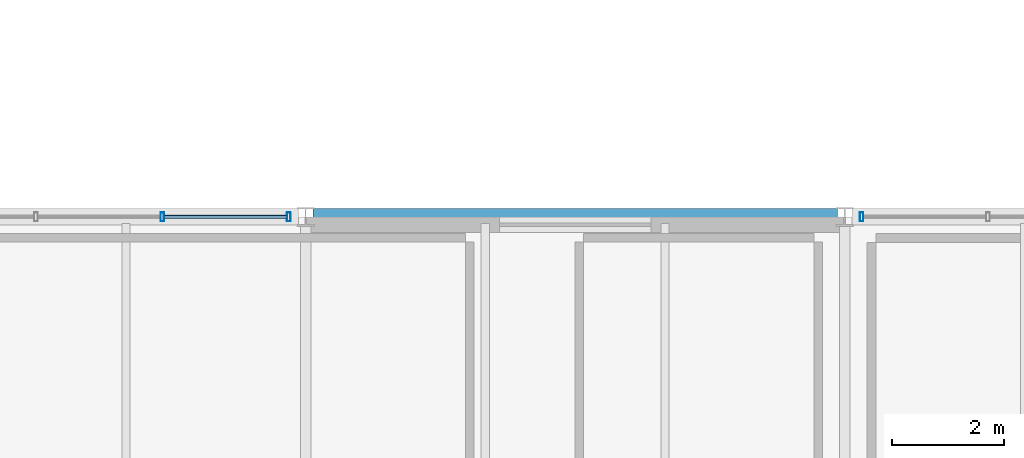
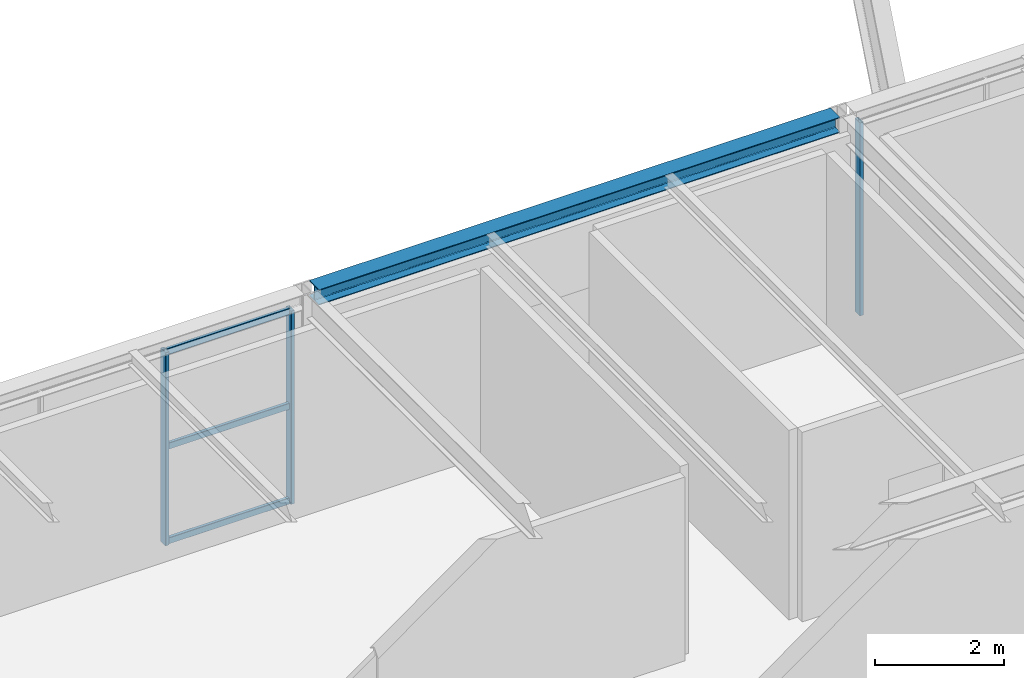
# One storey, part 50 of 126: 6 members, 1 beam, 2 elements without a shape of their own.
"""IFC4 building model written with IfcOpenShell, lengths in metres."""

from ifc_helpers import new_model, si_unit, direction, frame, origin, origin_2d, place, context, subcontext, project, spatial, hollow_rectangle, i_section, extrude, material, material_profile, profile_set, type_object, element, aggregate, save


model = new_model("IFC4")

# Units and contexts
model_context = context("Model", 3, precision=1e-05, world=origin(), true_north=direction((0.0, 1.0)))
body_context = subcontext(model_context, "Body", "Model", "MODEL_VIEW")
ifc_project = project(units=[si_unit("LENGTHUNIT", "METRE"), si_unit("AREAUNIT", "SQUARE_METRE"), si_unit("VOLUMEUNIT", "CUBIC_METRE"), si_unit("PLANEANGLEUNIT", "RADIAN"), si_unit("MASSUNIT", "GRAM", prefix="KILO")], contexts=[model_context])

# Site, building, storey
site_placement = place(None, origin())
site = spatial("IfcSite", under=ifc_project, at=site_placement, CompositionType="ELEMENT")
building_placement = place(site_placement, origin())
building = spatial("IfcBuilding", under=site, at=building_placement, Name="Coralgate Yard Interchange", CompositionType="ELEMENT")
storey_placement = place(building_placement, frame((0.0, 0.0, 10.5)))
storey = spatial("IfcBuildingStorey", under=building, at=storey_placement, Name="L02", CompositionType="ELEMENT", Elevation=10.5)

# Beam
ifc_material_1 = material(Name="Structural steel S355J2", Category="steel")
ifc_material_profile_1 = material_profile(ifc_material_1, i_section(OverallWidth=0.300048828125, OverallDepth=0.2900390625, WebThickness=0.008544921875, FlangeThickness=0.013916015625, FilletRadius=0.027099609375, at=origin_2d()), Name="HEA 300")
ifc_profile_set_1 = profile_set([ifc_material_profile_1], Name="Structural steel S355J2")
beam_type = type_object("IfcBeamType", Name="BM-SP-2", PredefinedType="SPANDREL", material=ifc_profile_set_1)
beam_placement = place(storey_placement, frame((67.327392578125, 19.199951171875, 3.804931640625), z_axis=(1.0, 0.0, 0.0), x_axis=(0.0, 1.0, 0.0)))
element("IfcBeam", 1, at=beam_placement, inside=storey, type_object=beam_type, Name="L02 primary grid beam Y2 X7-8", PredefinedType="SPANDREL", context=body_context, shape_type="SweptSolid", body=[
    extrude(i_section(OverallWidth=0.300048828125, OverallDepth=0.2900390625, WebThickness=0.008544921875, FlangeThickness=0.013916015625, FilletRadius=0.027099609375, at=origin_2d()), origin(), (0.0, 0.0, 1.0), 9.34521484375),
])

# Curtain wall, members
ifc_material_2 = material(Name="Anodised coastal aluminium and solar-control low-E glass", Category="aluminium")
curtain_wall_type = type_object("IfcCurtainWallType", Name="CW-CW-L02-A", PredefinedType="NOTDEFINED", material=ifc_material_2)
curtain_wall_1_placement = place(storey_placement, origin())
curtain_wall_1 = element("IfcCurtainWall", 2, at=curtain_wall_1_placement, inside=storey, type_object=curtain_wall_type, Name="L02 unitised curtain wall CW-L02-N-06-01", PredefinedType="NOTDEFINED")
ifc_material_3 = material(Name="Anodised coastal aluminium 6063-T6", Category="aluminium")
ifc_material_profile_2 = material_profile(ifc_material_3, hollow_rectangle(XDim=0.06494140625, YDim=0.159912109375, WallThickness=0.00390625, InnerFilletRadius=0.00390625, OuterFilletRadius=0.008056640625, at=origin_2d()), Name="ALU 65x160x4")
ifc_profile_set_2 = profile_set([ifc_material_profile_2], Name="Anodised coastal aluminium 6063-T6")
member_type_1 = type_object("IfcMemberType", Name="MB-MUL-160", PredefinedType="MULLION", material=ifc_profile_set_2)
member_1_placement = place(storey_placement, frame((64.64990234375, 19.199951171875, 0.0), z_axis=(0.0, 0.0, 1.0), x_axis=(1.0, 0.0, 0.0)))
member_1 = element("IfcMember", 3, at=member_1_placement, type_object=member_type_1, Name="CW-L02-N-06-01 vertical mullion 4", PredefinedType="MULLION", context=body_context, shape_type="SweptSolid", body=[
    extrude(hollow_rectangle(XDim=0.06494140625, YDim=0.159912109375, WallThickness=0.00390625, InnerFilletRadius=0.00390625, OuterFilletRadius=0.008056640625, at=origin_2d()), origin(), (0.0, 0.0, 1.0), 3.659912109375),
])
member_2_placement = place(storey_placement, frame((66.89990234375, 19.199951171875, 0.0), z_axis=(0.0, 0.0, 1.0), x_axis=(1.0, 0.0, 0.0)))
member_2 = element("IfcMember", 4, at=member_2_placement, type_object=member_type_1, Name="CW-L02-N-06-01 vertical mullion 5", PredefinedType="MULLION", context=body_context, shape_type="SweptSolid", body=[
    extrude(hollow_rectangle(XDim=0.06494140625, YDim=0.159912109375, WallThickness=0.00390625, InnerFilletRadius=0.00390625, OuterFilletRadius=0.008056640625, at=origin_2d()), origin(), (0.0, 0.0, 1.0), 3.659912109375),
])

# Curtain wall, member
curtain_wall_2_placement = place(storey_placement, origin())
curtain_wall_2 = element("IfcCurtainWall", 5, at=curtain_wall_2_placement, inside=storey, type_object=curtain_wall_type, Name="L02 unitised curtain wall CW-L02-N-08-01", PredefinedType="NOTDEFINED")
member_3_placement = place(storey_placement, frame((77.10009765625, 19.199951171875, 0.0), z_axis=(0.0, 0.0, 1.0), x_axis=(1.0, 0.0, 0.0)))
member_3 = element("IfcMember", 6, at=member_3_placement, type_object=member_type_1, Name="CW-L02-N-08-01 vertical mullion 1", PredefinedType="MULLION", context=body_context, shape_type="SweptSolid", body=[
    extrude(hollow_rectangle(XDim=0.06494140625, YDim=0.159912109375, WallThickness=0.00390625, InnerFilletRadius=0.00390625, OuterFilletRadius=0.008056640625, at=origin_2d()), origin(), (0.0, 0.0, 1.0), 3.659912109375),
])
aggregate(curtain_wall_2, [member_3])

# Member
ifc_material_profile_3 = material_profile(ifc_material_3, hollow_rectangle(XDim=0.06005859375, YDim=0.1201171875, WallThickness=0.00341796875, InnerFilletRadius=0.00341796875, OuterFilletRadius=0.007080078125, at=origin_2d()), Name="ALU 60x120x3.5")
ifc_profile_set_3 = profile_set([ifc_material_profile_3], Name="Anodised coastal aluminium 6063-T6")
member_type_2 = type_object("IfcMemberType", Name="MB-TRN-120", PredefinedType="USERDEFINED", material=ifc_profile_set_3)
member_4_placement = place(storey_placement, frame((64.679931640625, 19.199951171875, 0.034912109375), z_axis=(1.0, 0.0, 0.0), x_axis=(0.0, 1.0, 0.0)))
member_4 = element("IfcMember", 7, at=member_4_placement, type_object=member_type_2, Name="CW-L02-N-06-01 horizontal transom 4-1", ObjectType="TRANSOM", PredefinedType="USERDEFINED", context=body_context, shape_type="SweptSolid", body=[
    extrude(hollow_rectangle(XDim=0.06005859375, YDim=0.1201171875, WallThickness=0.00341796875, InnerFilletRadius=0.00341796875, OuterFilletRadius=0.007080078125, at=origin_2d()), origin(), (0.0, 0.0, 1.0), 2.190185546875),
])

member_5_placement = place(storey_placement, frame((64.679931640625, 19.199951171875, 1.830078125), z_axis=(1.0, 0.0, 0.0), x_axis=(0.0, 1.0, 0.0)))
member_5 = element("IfcMember", 8, at=member_5_placement, type_object=member_type_2, Name="CW-L02-N-06-01 horizontal transom 4-2", ObjectType="TRANSOM", PredefinedType="USERDEFINED", context=body_context, shape_type="SweptSolid", body=[
    extrude(hollow_rectangle(XDim=0.06005859375, YDim=0.1201171875, WallThickness=0.00341796875, InnerFilletRadius=0.00341796875, OuterFilletRadius=0.007080078125, at=origin_2d()), origin(), (0.0, 0.0, 1.0), 2.190185546875),
])

member_6_placement = place(storey_placement, frame((64.679931640625, 19.199951171875, 3.625), z_axis=(1.0, 0.0, 0.0), x_axis=(0.0, 1.0, 0.0)))
member_6 = element("IfcMember", 9, at=member_6_placement, type_object=member_type_2, Name="CW-L02-N-06-01 horizontal transom 4-3", ObjectType="TRANSOM", PredefinedType="USERDEFINED", context=body_context, shape_type="SweptSolid", body=[
    extrude(hollow_rectangle(XDim=0.06005859375, YDim=0.1201171875, WallThickness=0.00341796875, InnerFilletRadius=0.00341796875, OuterFilletRadius=0.007080078125, at=origin_2d()), origin(), (0.0, 0.0, 1.0), 2.190185546875),
])

aggregate(curtain_wall_1, [member_1, member_2, member_4, member_5, member_6])

save(model, "model.ifc")
